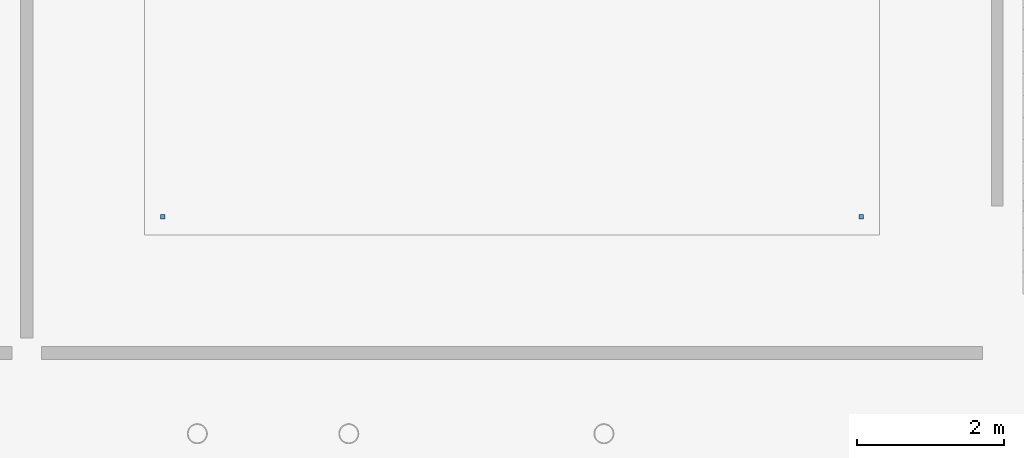
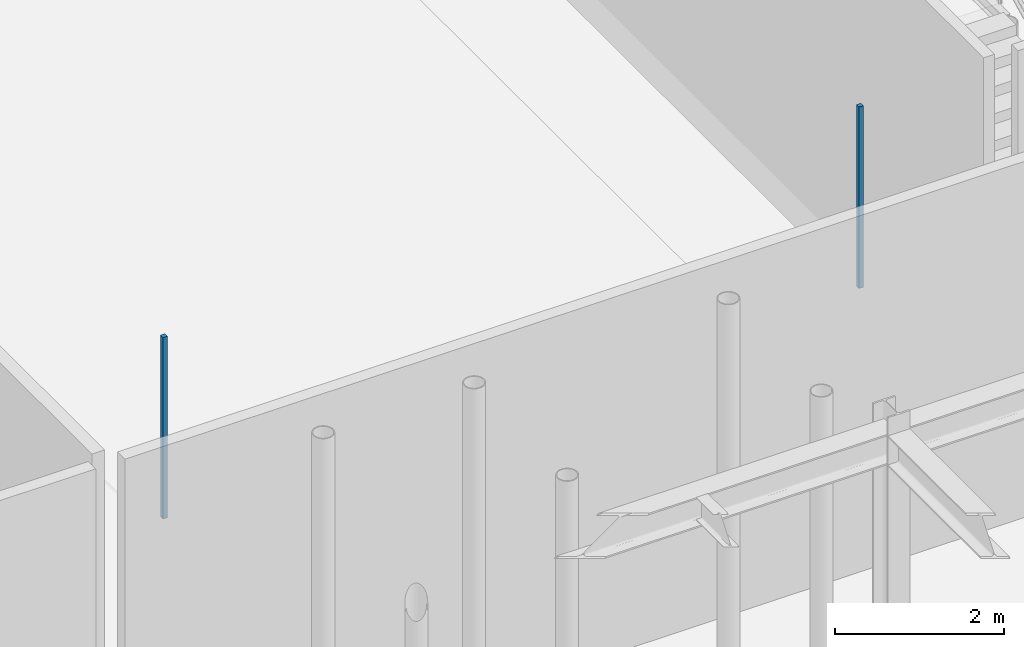
# One storey, part 89 of 129: 2 discrete accessories.
"""IFC4 building model written with IfcOpenShell, lengths in metres."""

from ifc_helpers import new_model, si_unit, direction, frame, origin, origin_2d, place, context, subcontext, project, spatial, rectangle, extrude, material, type_object, element, save


model = new_model("IFC4")

# Units and contexts
model_context = context("Model", 3, precision=1e-05, world=origin(), true_north=direction((0.0, 1.0)))
body_context = subcontext(model_context, "Body", "Model", "MODEL_VIEW")
ifc_project = project(units=[si_unit("LENGTHUNIT", "METRE"), si_unit("AREAUNIT", "SQUARE_METRE"), si_unit("VOLUMEUNIT", "CUBIC_METRE"), si_unit("PLANEANGLEUNIT", "RADIAN"), si_unit("MASSUNIT", "GRAM", prefix="KILO")], contexts=[model_context])

# Site, building, storey
site_placement = place(None, origin())
site = spatial("IfcSite", under=ifc_project, at=site_placement, CompositionType="ELEMENT")
building_placement = place(site_placement, origin())
building = spatial("IfcBuilding", under=site, at=building_placement, Name="Sundkrona Museum", CompositionType="ELEMENT")
storey_placement = place(building_placement, origin())
storey = spatial("IfcBuildingStorey", under=building, at=storey_placement, Name="L00", CompositionType="ELEMENT", Elevation=0.0)

# Discrete accessories
ifc_material = material(Name="Stainless Steel EN 1.4404 Cleat", Category="steel")
discrete_accessory_type = type_object("IfcDiscreteAccessoryType", Name="BRK-FIN-01", PredefinedType="BRACKET", material=ifc_material)
for number, where, z_axis, x_axis, name in (
    (1, (97.449951171875, 13.85009765625, 2.550048828125), (0.0, 0.0, 1.0), (1.0, 0.0, 0.0), "L00 Atrium Public Foyer Ceiling Hanger 1"),
    (2, (106.949951171875, 13.85009765625, 2.550048828125), (0.0, 0.0, 1.0), (1.0, 0.0, 0.0), "L00 Atrium Public Foyer Ceiling Hanger 2"),
):
    element("IfcDiscreteAccessory", number, at=place(storey_placement, frame(where, z_axis=z_axis, x_axis=x_axis)), inside=storey, type_object=discrete_accessory_type, Name=name, PredefinedType="BRACKET", context=body_context, shape_type="SweptSolid", body=[
        extrude(rectangle(XDim=0.06005859375, YDim=0.06005859375, at=origin_2d()), origin(), (0.0, 0.0, 1.0), 2.6201171875),
    ])

save(model, "model.ifc")
